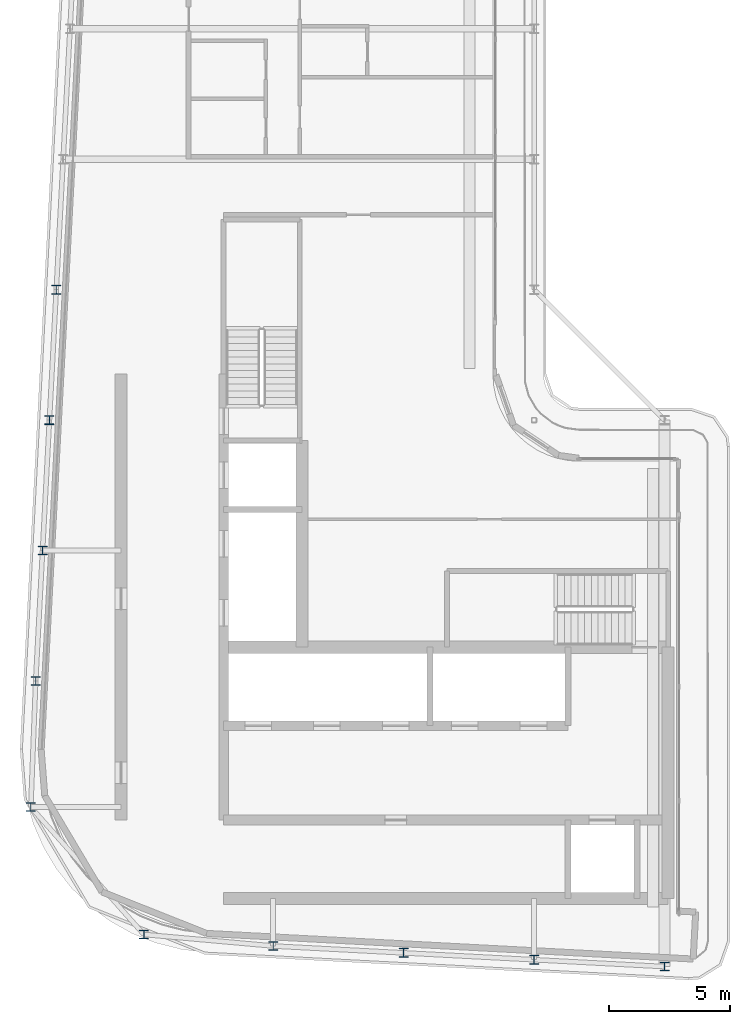
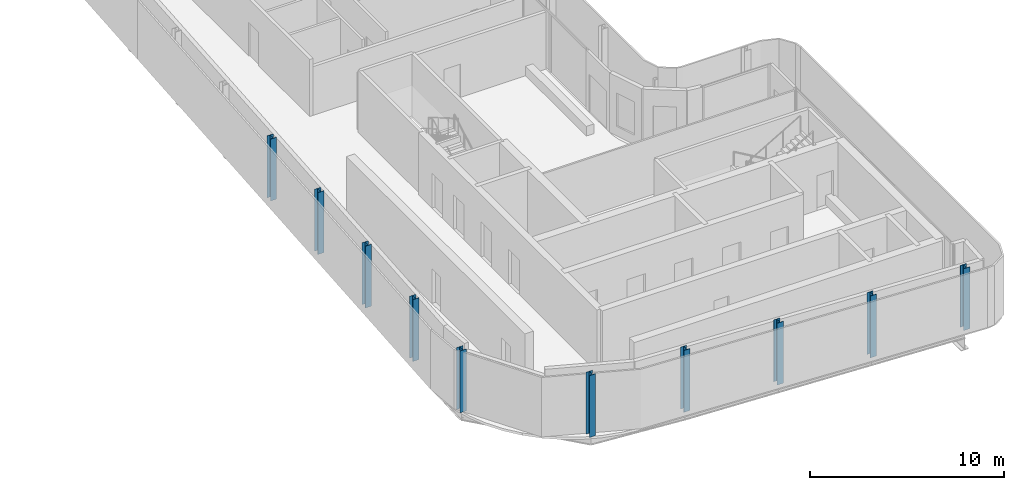
# One storey, part 1 of 18: 10 columns.
"""IFC4 building model written with IfcOpenShell, lengths in metres."""

import ifcopenshell
import ifcopenshell.guid

model = None  # the IFC model being written
_history = None  # IfcOwnerHistory: only IFC2X3 demands one
_inside = {}  # id of a spatial element -> (the spatial element, [elements in it])
_under = {}  # id of a project, library or spatial element -> (it, [spatial elements below it])
_declared = {}  # id of a project -> (the project, [libraries it declares])
_typed = {}  # id of a type object -> (the type object, [elements of that type])
_made_of = {}  # id of a material, layer set ... -> (it, [elements and type objects made of it])


def new_model(schema):
    """Start an empty IFC model of exactly this schema.

    Asked for "IFC4X3", IfcOpenShell would pick the latest addendum, in which some entities
    have other attributes; the version numbers below select the first issue.
    IFC2X3 requires an IfcOwnerHistory on every rooted entity: one is made here for all.
    """
    global model, _history
    if schema == "IFC4X3":
        model = ifcopenshell.file(schema_version=(4, 3, 0, 0))
    else:
        model = ifcopenshell.file(schema=schema)
    _inside.clear()
    _under.clear()
    _declared.clear()
    _typed.clear()
    _made_of.clear()
    _history = None
    if model.schema == "IFC2X3":
        org = make("IfcOrganization", Name="unknown")
        user = make(
            "IfcPersonAndOrganization",
            ThePerson=make("IfcPerson", FamilyName="unknown"),
            TheOrganization=org,
        )
        app = make(
            "IfcApplication",
            ApplicationDeveloper=org,
            Version="unknown",
            ApplicationFullName="unknown",
            ApplicationIdentifier="unknown",
        )
        _history = make(
            "IfcOwnerHistory",
            OwningUser=user,
            OwningApplication=app,
            ChangeAction="ADDED",
            CreationDate=0,
        )
    return model


def make(cls, **values):
    """One entity of the class cls with the attributes given. An attribute that is None is left unset."""
    return model.create_entity(
        cls, **{name: value for name, value in values.items() if value is not None}
    )


def rooted(cls, **values):
    """An entity with a GlobalId (a new one), such as an element, a storey or a relation."""
    return make(cls, GlobalId=ifcopenshell.guid.new(), OwnerHistory=_history, **values)


def si_unit(unit_type, name, prefix=None):
    """IfcSIUnit, for example si_unit("LENGTHUNIT", "METRE", prefix="MILLI")."""
    return make("IfcSIUnit", UnitType=unit_type, Prefix=prefix, Name=name)


def assignment(units):
    """IfcUnitAssignment: the units of a project."""
    return None if units is None else make("IfcUnitAssignment", Units=units)


def point(xyz):
    """IfcCartesianPoint."""
    return None if xyz is None else make("IfcCartesianPoint", Coordinates=xyz)


def direction(xyz):
    """IfcDirection."""
    return None if xyz is None else make("IfcDirection", DirectionRatios=xyz)


def frame(location, z_axis=None, x_axis=None):
    """IfcAxis2Placement3D, a coordinate frame: its origin and axes. An axis left out is left unset."""
    return make(
        "IfcAxis2Placement3D",
        Location=point(location),
        Axis=direction(z_axis),
        RefDirection=direction(x_axis),
    )


def frame_2d(location, x_axis=None):
    """IfcAxis2Placement2D, a coordinate frame in the plane: its origin and x axis."""
    return make(
        "IfcAxis2Placement2D", Location=point(location), RefDirection=direction(x_axis)
    )


def origin():
    """The frame at (0, 0, 0) with its axes left unset."""
    return frame((0.0, 0.0, 0.0))


def origin_2d():
    """The frame at (0, 0) in the plane with its x axis left unset."""
    return frame_2d((0.0, 0.0))


def place(relative_to, where):
    """IfcLocalPlacement: puts the frame where relative to a parent placement (None: the world)."""
    return make(
        "IfcLocalPlacement", PlacementRelTo=relative_to, RelativePlacement=where
    )


def context(
    kind, dimensions, precision=None, world=None, true_north=None, identifier=None
):
    """IfcGeometricRepresentationContext, for example the 3D "Model" context."""
    return make(
        "IfcGeometricRepresentationContext",
        ContextIdentifier=identifier,
        ContextType=kind,
        CoordinateSpaceDimension=dimensions,
        Precision=precision,
        WorldCoordinateSystem=world,
        TrueNorth=true_north,
    )


def subcontext(parent, identifier, kind, view, scale=None):
    """IfcGeometricRepresentationSubContext, for example "Body" below "Model"."""
    return make(
        "IfcGeometricRepresentationSubContext",
        ContextIdentifier=identifier,
        ContextType=kind,
        ParentContext=parent,
        TargetScale=scale,
        TargetView=view,
    )


def project(units=None, contexts=None):
    """IfcProject with its units and contexts."""
    return rooted(
        "IfcProject",
        Name="project",
        RepresentationContexts=contexts,
        UnitsInContext=assignment(units),
    )


def spatial(cls, under=None, at=None, **own):
    """A site, building, storey or space (cls), placed at a placement, below another one or the project."""
    s = rooted(cls, ObjectPlacement=at, **own)
    if under is not None:
        _under.setdefault(under.id(), (under, []))[1].append(s)
    return s


def profile(cls, at=None, kind="AREA", **sizes):
    """A parametric profile (cls). Its sizes go by their IFC names, for example OverallWidth=200.0."""
    return make(cls, ProfileType=kind, Position=at, **sizes)


def i_section(**sizes):
    """IfcIShapeProfileDef."""
    return profile("IfcIShapeProfileDef", **sizes)


def extrude(swept, where, along, depth):
    """IfcExtrudedAreaSolid: the profile swept, set in the frame where, extruded along a direction by depth."""
    return make(
        "IfcExtrudedAreaSolid",
        SweptArea=swept,
        Position=where,
        ExtrudedDirection=direction(along),
        Depth=depth,
    )


def shape(context_of_items, identifier, shape_type, items):
    """IfcShapeRepresentation: the items that make up one representation, for example the "Body"."""
    return make(
        "IfcShapeRepresentation",
        ContextOfItems=context_of_items,
        RepresentationIdentifier=identifier,
        RepresentationType=shape_type,
        Items=items,
    )


def material(Name=None, Category=None):
    """IfcMaterial."""
    return make("IfcMaterial", Name=Name, Category=Category)


def material_profile(
    of_material, cross_section, Name=None, Category=None, Priority=None
):
    """IfcMaterialProfile: a cross section and its material."""
    return make(
        "IfcMaterialProfile",
        Name=Name,
        Material=of_material,
        Profile=cross_section,
        Priority=Priority,
        Category=Category,
    )


def profile_set(profiles, Name=None, composite=None):
    """IfcMaterialProfileSet."""
    return make(
        "IfcMaterialProfileSet",
        Name=Name,
        MaterialProfiles=profiles,
        CompositeProfile=composite,
    )


def made_of(thing, what):
    """Note that an element or type object is made of a material, layer set ...; save() writes the relation."""
    if what is not None:
        _made_of.setdefault(what.id(), (what, []))[1].append(thing)
    return thing


def type_object(cls, material=None, **own):
    """A type object (cls), such as IfcWallType, which elements share."""
    return made_of(rooted(cls, **own), material)


def element(
    cls,
    number,
    at=None,
    inside=None,
    cuts=None,
    type_object=None,
    material=None,
    context=None,
    identifier="Body",
    shape_type=None,
    held_by="IfcProductDefinitionShape",
    body=None,
    shapes=None,
    **own,
):
    """One element of the class cls, such as IfcWall. Its Tag is "e" and its number.

    at: its placement. inside: the storey or other place that contains it. cuts: it is an
    opening in that element (IfcRelVoidsElement). A single representation is given by context,
    identifier, shape_type and body (its items); several are given by shapes. held_by: the class
    of the entity that holds the representations. save() writes the other relations.
    """
    e = rooted(cls, Tag="e%d" % number, ObjectPlacement=at, **own)
    if body is not None:
        shapes = [shape(context, identifier, shape_type, body)]
    if shapes is not None:
        e.Representation = make(held_by, Representations=shapes)
    if inside is not None:
        _inside.setdefault(inside.id(), (inside, []))[1].append(e)
    if cuts is not None:
        rooted(
            "IfcRelVoidsElement", RelatingBuildingElement=cuts, RelatedOpeningElement=e
        )
    if type_object is not None:
        _typed.setdefault(type_object.id(), (type_object, []))[1].append(e)
    return made_of(e, material)


def aggregate(whole, parts):
    """IfcRelAggregates: a whole, such as a stair, and the parts it consists of."""
    return rooted("IfcRelAggregates", RelatingObject=whole, RelatedObjects=parts)


def save(model, path):
    """Write the relations noted so far, then the file.

    IfcRelAggregates (storeys below a building ...), IfcRelContainedInSpatialStructure (elements
    in a storey), IfcRelDefinesByType, IfcRelAssociatesMaterial and IfcRelDeclares: one each for
    every whole, place, type object, material and project.
    """
    for whole, parts in _under.values():
        aggregate(whole, parts)
    for where, things in _inside.values():
        rooted(
            "IfcRelContainedInSpatialStructure",
            RelatedElements=things,
            RelatingStructure=where,
        )
    for kind, things in _typed.values():
        rooted("IfcRelDefinesByType", RelatedObjects=things, RelatingType=kind)
    for what, things in _made_of.values():
        rooted("IfcRelAssociatesMaterial", RelatedObjects=things, RelatingMaterial=what)
    for by, libraries in _declared.values():
        rooted("IfcRelDeclares", RelatingContext=by, RelatedDefinitions=libraries)
    model.write(path)


model = new_model("IFC4")

# Units and contexts
model_context = context("Model", 3, precision=1e-05, world=origin(), true_north=direction((0.0, 1.0)))
body_context = subcontext(model_context, "Body", "Model", "MODEL_VIEW")
ifc_project = project(units=[si_unit("LENGTHUNIT", "METRE"), si_unit("AREAUNIT", "SQUARE_METRE"), si_unit("VOLUMEUNIT", "CUBIC_METRE"), si_unit("PLANEANGLEUNIT", "RADIAN"), si_unit("MASSUNIT", "GRAM", prefix="KILO")], contexts=[model_context])

# Site, building, storey
site_placement = place(None, origin())
site = spatial("IfcSite", under=ifc_project, at=site_placement, CompositionType="ELEMENT")
building_placement = place(site_placement, origin())
building = spatial("IfcBuilding", under=site, at=building_placement, Name="Kheshtan School and Residences Tower", CompositionType="ELEMENT")
storey_placement = place(building_placement, frame((0.0, 0.0, 377.300048828125)))
storey = spatial("IfcBuildingStorey", under=building, at=storey_placement, Name="L89", CompositionType="ELEMENT", Elevation=377.300048828125)

# Columns
ifc_material = material(Name="Steel ASTM A992 Grade 50", Category="steel")
ifc_material_profile = material_profile(ifc_material, i_section(OverallWidth=0.37109375, OverallDepth=0.364013671875, WebThickness=0.01318359375, FlangeThickness=0.021728515625, FilletRadius=0.010986328125, at=origin_2d()), Name="W360x162")
ifc_profile_set = profile_set([ifc_material_profile], Name="Steel ASTM A992 Grade 50")
column_type = type_object("IfcColumnType", Name="Column C6 W360x162 ASTM A992 Grade 50", PredefinedType="COLUMN", material=ifc_profile_set)
for number, where, z_axis, x_axis, name in (
    (1, (53.0, 22.97998046875, 0.0), (0.0, 0.0, 1.0), (1.0, 0.0, 0.0), "Column C019"),
    (2, (47.60009765625, 23.263916015625, 0.0), (0.0, 0.0, 1.0), (1.0, 0.0, 0.0), "Column C020"),
    (3, (42.199951171875, 23.548095703125, 0.0), (0.0, 0.0, 1.0), (1.0, 0.0, 0.0), "Column C021"),
    (4, (36.800048828125, 23.83203125, 0.0), (0.0, 0.0, 1.0), (1.0, 0.0, 0.0), "Column C022"),
    (5, (31.447021484375, 24.31005859375, 0.0), (0.0, 0.0, 1.0), (1.0, 0.0, 0.0), "Column C034"),
    (6, (26.76708984375, 29.58203125, 0.0), (0.0, 0.0, 1.0), (1.0, 0.0, 0.0), "Column C048"),
    (7, (26.968994140625, 34.800048828125, 0.0), (0.0, 0.0, 1.0), (1.0, 0.0, 0.0), "Column C052"),
    (8, (27.2529296875, 40.199951171875, 0.0), (0.0, 0.0, 1.0), (1.0, 0.0, 0.0), "Column C056"),
    (9, (27.537109375, 45.60009765625, 0.0), (0.0, 0.0, 1.0), (1.0, 0.0, 0.0), "Column C059"),
    (10, (27.822021484375, 51.0, 0.0), (0.0, 0.0, 1.0), (1.0, 0.0, 0.0), "Column C078"),
):
    element("IfcColumn", number, at=place(storey_placement, frame(where, z_axis=z_axis, x_axis=x_axis)), inside=storey, type_object=column_type, Name=name, PredefinedType="COLUMN", context=body_context, shape_type="SweptSolid", body=[
        extrude(i_section(OverallWidth=0.37109375, OverallDepth=0.364013671875, WebThickness=0.01318359375, FlangeThickness=0.021728515625, FilletRadius=0.010986328125, at=origin_2d()), origin(), (0.0, 0.0, 1.0), 3.89990234375),
    ])

save(model, "model.ifc")
